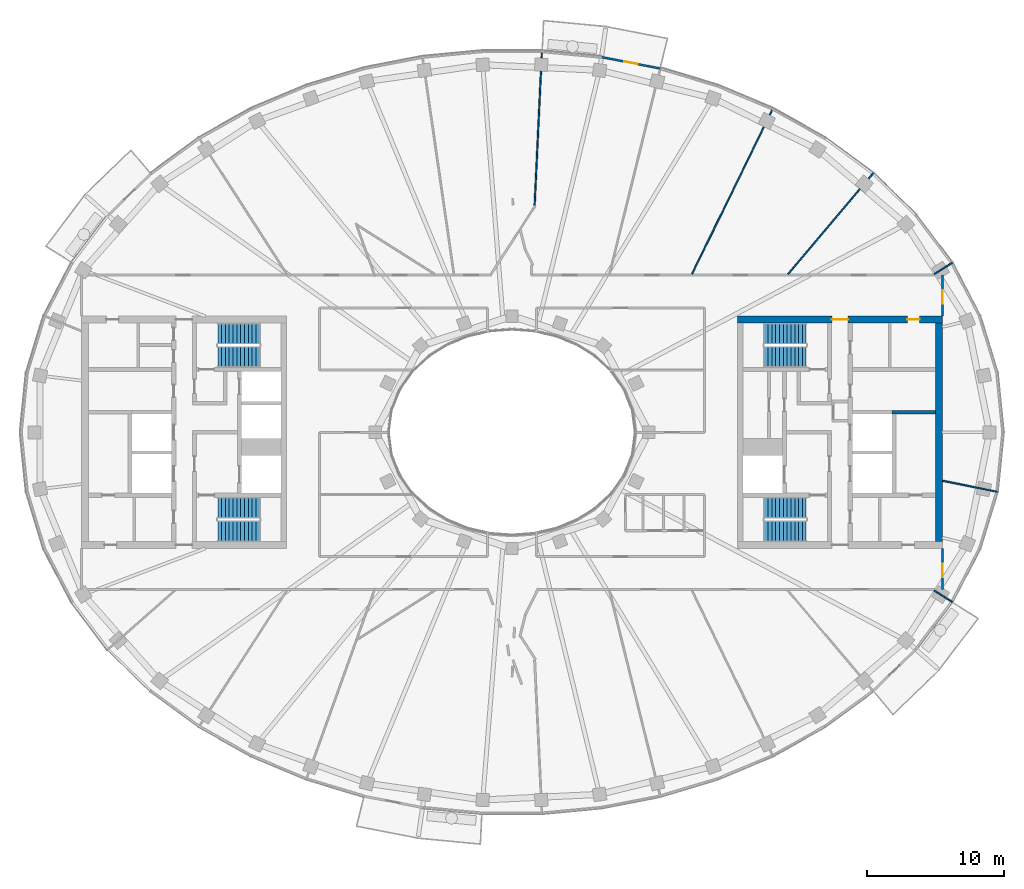
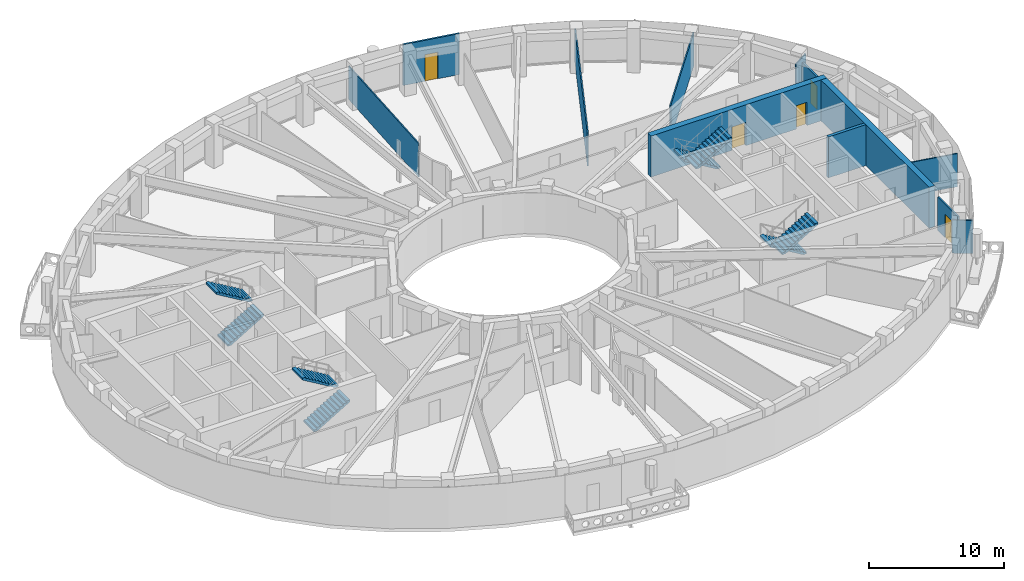
# One storey, part 7 of 16: 12 walls, 8 stair flights, 5 doors, 5 openings, 4 elements without a shape of their own.
"""IFC4 building model written with IfcOpenShell, lengths in metres."""

from ifc_helpers import new_model, si_unit, direction, frame, frame_2d, origin, place, context, subcontext, project, spatial, polyline, rectangle, outline, extrude, material, layer, layer_set, type_object, element, fill, aggregate, save


model = new_model("IFC4")

# Units and contexts
model_context = context("Model", 3, precision=1e-05, world=origin(), true_north=direction((0.0, 1.0)))
body_context = subcontext(model_context, "Body", "Model", "MODEL_VIEW")
ifc_project = project(units=[si_unit("LENGTHUNIT", "METRE"), si_unit("AREAUNIT", "SQUARE_METRE"), si_unit("VOLUMEUNIT", "CUBIC_METRE"), si_unit("PLANEANGLEUNIT", "RADIAN"), si_unit("MASSUNIT", "GRAM", prefix="KILO")], contexts=[model_context])

# Site, building, storey
site_placement = place(None, origin())
site = spatial("IfcSite", under=ifc_project, at=site_placement, CompositionType="ELEMENT")
building_placement = place(site_placement, origin())
building = spatial("IfcBuilding", under=site, at=building_placement, Name="Noorbagh Ring Tower", CompositionType="ELEMENT")
storey_placement = place(building_placement, frame((0.0, 0.0, 315.0)))
storey = spatial("IfcBuildingStorey", under=building, at=storey_placement, Name="L68", CompositionType="ELEMENT", Elevation=315.0)

# Wall
ifc_material_1 = material(Name="Concrete C50/60", Category="concrete")
ifc_layer_1 = layer(ifc_material_1, 0.25)
ifc_layer_set_1 = layer_set([ifc_layer_1], Name="Concrete C50/60")
wall_type_1 = type_object("IfcWallType", Name="CORE-WALL-250-C50-60-EI120", PredefinedType="SHEAR", material=ifc_layer_set_1)
wall_1_placement = place(storey_placement, frame((27.800048828125, 1.47509765625, 0.0), z_axis=(0.0, 0.0, 1.0), x_axis=(1.0, 0.0, 0.0)))
element("IfcWall", 1, at=wall_1_placement, inside=storey, type_object=wall_type_1, Name="Core wall E", PredefinedType="SHEAR", context=body_context, shape_type="SweptSolid", body=[
    extrude(rectangle(XDim=3.199951171875, YDim=0.25, at=frame_2d((1.60009765625, 0.0))), origin(), (0.0, 0.0, 1.0), 3.699951171875),
])

# Wall, openings, doors
ifc_material_2 = material(Name="Concrete C50/60", Category="concrete")
ifc_layer_2 = layer(ifc_material_2, 0.5)
ifc_layer_set_2 = layer_set([ifc_layer_2], Name="Concrete C50/60")
wall_type_2 = type_object("IfcWallType", Name="CORE-WALL-500-C50-60-EI240", PredefinedType="SHEAR", material=ifc_layer_set_2)
wall_2_placement = place(storey_placement, frame((16.5, 8.25, 0.0), z_axis=(0.0, 0.0, 1.0), x_axis=(1.0, 0.0, 0.0)))
wall_2 = element("IfcWall", 2, at=wall_2_placement, inside=storey, type_object=wall_type_2, Name="Core wall E", PredefinedType="SHEAR", context=body_context, shape_type="SweptSolid", body=[
    extrude(rectangle(XDim=15.0, YDim=0.5, at=frame_2d((7.5, 0.0))), origin(), (0.0, 0.0, 1.0), 3.699951171875),
])
opening_1_placement = place(wall_2_placement, frame((6.89990234375, 0.0, 0.0)))
opening_1 = element("IfcOpeningElement", 3, at=opening_1_placement, cuts=wall_2, Name="Opening L68-CE08", PredefinedType="OPENING", context=body_context, shape_type="SweptSolid", body=[
    extrude(rectangle(XDim=1.199951171875, YDim=2.10009765625, at=frame_2d((0.60009765625, 1.050048828125))), frame((0.0, 0.260009765625, 0.0), z_axis=(0.0, -1.0, 0.0), x_axis=(1.0, 0.0, 0.0)), (0.0, 0.0, 1.0), 0.52001953125),
])
opening_2_placement = place(wall_2_placement, frame((12.425048828125, 0.0, 0.0)))
opening_2 = element("IfcOpeningElement", 4, at=opening_2_placement, cuts=wall_2, Name="Opening L68-CE14", PredefinedType="OPENING", context=body_context, shape_type="SweptSolid", body=[
    extrude(rectangle(XDim=0.89990234375, YDim=2.10009765625, at=frame_2d((0.449951171875, 1.050048828125))), frame((0.0, 0.260009765625, 0.0), z_axis=(0.0, -1.0, 0.0), x_axis=(1.0, 0.0, 0.0)), (0.0, 0.0, 1.0), 0.52001953125),
])
ifc_material_3 = material(Name="Steel door leaf", Category="steel")
door_type_1 = type_object("IfcDoorType", Name="CORE-DOOR-DROOM", OperationType="SINGLE_SWING_LEFT", PredefinedType="DOOR", material=ifc_material_3)
door_1_placement = place(opening_2_placement, origin())
door_1 = element("IfcDoor", 5, at=door_1_placement, inside=storey, type_object=door_type_1, Name="Core room door L68-CE14", OperationType="SINGLE_SWING_LEFT", OverallHeight=2.10009765625, OverallWidth=0.89990234375, PredefinedType="DOOR", context=body_context, shape_type="SweptSolid", body=[
    extrude(rectangle(XDim=0.89990234375, YDim=2.10009765625, at=frame_2d((0.449951171875, 1.050048828125))), frame((0.0, 0.02490234375, 0.0), z_axis=(0.0, -1.0, 0.0), x_axis=(1.0, 0.0, 0.0)), (0.0, 0.0, 1.0), 0.050048828125),
])
fill(opening_2, door_1)
ifc_material_4 = material(Name="Steel door leaf", Category="steel")
door_type_2 = type_object("IfcDoorType", Name="CORE-DOOR-PORT", OperationType="DOUBLE_DOOR_DOUBLE_SWING", PredefinedType="DOOR", material=ifc_material_4)
door_2_placement = place(opening_1_placement, origin())
door_2 = element("IfcDoor", 6, at=door_2_placement, inside=storey, type_object=door_type_2, Name="Core entrance door L68-CE08", OperationType="DOUBLE_DOOR_DOUBLE_SWING", OverallHeight=2.10009765625, OverallWidth=1.199951171875, PredefinedType="DOOR", context=body_context, shape_type="SweptSolid", body=[
    extrude(rectangle(XDim=1.199951171875, YDim=2.10009765625, at=frame_2d((0.60009765625, 1.050048828125))), frame((0.0, 0.02490234375, 0.0), z_axis=(0.0, -1.0, 0.0), x_axis=(1.0, 0.0, 0.0)), (0.0, 0.0, 1.0), 0.050048828125),
])
fill(opening_1, door_2)

# Wall
wall_3_placement = place(storey_placement, frame((31.25, -8.0, 0.0), z_axis=(0.0, 0.0, 1.0), x_axis=(0.0, 1.0, 0.0)))
element("IfcWall", 7, at=wall_3_placement, inside=storey, type_object=wall_type_2, Name="Core wall E", PredefinedType="SHEAR", context=body_context, shape_type="SweptSolid", body=[
    extrude(rectangle(XDim=16.0, YDim=0.5, at=frame_2d((8.0, 0.0))), origin(), (0.0, 0.0, 1.0), 3.699951171875),
])

# Wall, opening, door
ifc_material_5 = material(Name="Gypsum board on steel studs", Category="steel")
ifc_layer_3 = layer(ifc_material_5, 0.14990234375)
ifc_layer_set_3 = layer_set([ifc_layer_3], Name="Gypsum board on steel studs")
wall_type_3 = type_object("IfcWallType", Name="CORRIDOR PARTITION 150 EI 30", PredefinedType="PARTITIONING", material=ifc_layer_set_3)
wall_4_placement = place(storey_placement, frame((31.5, -11.5, 0.0), z_axis=(0.0, 0.0, 1.0), x_axis=(0.0, 1.0, 0.0)))
wall_4 = element("IfcWall", 8, at=wall_4_placement, inside=storey, type_object=wall_type_3, Name="L68/wall/P71", PredefinedType="PARTITIONING", context=body_context, shape_type="SweptSolid", body=[
    extrude(rectangle(XDim=3.0, YDim=0.14990234375, at=frame_2d((1.5, 0.0))), origin(), (0.0, 0.0, 1.0), 3.0),
])
opening_3_placement = place(wall_4_placement, frame((0.89990234375, 0.0, 0.0)))
opening_3 = element("IfcOpeningElement", 9, at=opening_3_placement, cuts=wall_4, Name="Opening D1", PredefinedType="OPENING", context=body_context, shape_type="SweptSolid", body=[
    extrude(rectangle(XDim=1.0, YDim=2.10009765625, at=frame_2d((0.5, 1.050048828125))), frame((0.0, 0.0849609375, 0.0), z_axis=(0.0, -1.0, 0.0), x_axis=(1.0, 0.0, 0.0)), (0.0, 0.0, 1.0), 0.169921875),
])
ifc_material_6 = material(Name="Timber, painted", Category="wood")
door_type_3 = type_object("IfcDoorType", Name="DOOR 1000 X 2100 FD30", OperationType="SINGLE_SWING_LEFT", PredefinedType="DOOR", material=ifc_material_6)
door_3_placement = place(opening_3_placement, origin())
door_3 = element("IfcDoor", 10, at=door_3_placement, inside=storey, type_object=door_type_3, Name="L68-D23", OperationType="SINGLE_SWING_LEFT", OverallHeight=2.10009765625, OverallWidth=1.0, PredefinedType="DOOR", context=body_context, shape_type="SweptSolid", body=[
    extrude(rectangle(XDim=1.0, YDim=2.10009765625, at=frame_2d((0.5, 1.050048828125))), frame((0.0, 0.02490234375, 0.0), z_axis=(0.0, -1.0, 0.0), x_axis=(1.0, 0.0, 0.0)), (0.0, 0.0, 1.0), 0.050048828125),
])
fill(opening_3, door_3)

wall_5_placement = place(storey_placement, frame((31.5, 8.5, 0.0), z_axis=(0.0, 0.0, 1.0), x_axis=(0.0, 1.0, 0.0)))
wall_5 = element("IfcWall", 11, at=wall_5_placement, inside=storey, type_object=wall_type_3, Name="L68/wall/P73", PredefinedType="PARTITIONING", context=body_context, shape_type="SweptSolid", body=[
    extrude(rectangle(XDim=3.0, YDim=0.14990234375, at=frame_2d((1.5, 0.0))), origin(), (0.0, 0.0, 1.0), 3.0),
])
opening_4_placement = place(wall_5_placement, frame((0.89990234375, 0.0, 0.0)))
opening_4 = element("IfcOpeningElement", 12, at=opening_4_placement, cuts=wall_5, Name="Opening D1", PredefinedType="OPENING", context=body_context, shape_type="SweptSolid", body=[
    extrude(rectangle(XDim=1.0, YDim=2.10009765625, at=frame_2d((0.5, 1.050048828125))), frame((0.0, 0.0849609375, 0.0), z_axis=(0.0, -1.0, 0.0), x_axis=(1.0, 0.0, 0.0)), (0.0, 0.0, 1.0), 0.169921875),
])
door_4_placement = place(opening_4_placement, origin())
door_4 = element("IfcDoor", 13, at=door_4_placement, inside=storey, type_object=door_type_3, Name="L68-D24", OperationType="SINGLE_SWING_RIGHT", OverallHeight=2.10009765625, OverallWidth=1.0, PredefinedType="DOOR", context=body_context, shape_type="SweptSolid", body=[
    extrude(rectangle(XDim=1.0, YDim=2.10009765625, at=frame_2d((0.5, 1.050048828125))), frame((0.0, 0.02490234375, 0.0), z_axis=(0.0, -1.0, 0.0), x_axis=(1.0, 0.0, 0.0)), (0.0, 0.0, 1.0), 0.050048828125),
])
fill(opening_4, door_4)

ifc_material_7 = material(Name="Insulated aluminium clad panel", Category="aluminium")
ifc_layer_4 = layer(ifc_material_7, 0.14990234375)
ifc_layer_set_4 = layer_set([ifc_layer_4], Name="Insulated aluminium clad panel")
wall_type_4 = type_object("IfcWallType", Name="ENV-WALL-DOOR", PredefinedType="STANDARD", material=ifc_layer_set_4)
wall_6_placement = place(storey_placement, frame((10.87060546875, 26.616943359375, 0.0), z_axis=(0.0, 0.0, 1.0), x_axis=(-0.981631174778, 0.190788460615, 0.0)))
wall_6 = element("IfcWall", 14, at=wall_6_placement, inside=storey, type_object=wall_type_4, Name="Balcony door wall chord 10", PredefinedType="STANDARD", context=body_context, shape_type="SweptSolid", body=[
    extrude(rectangle(XDim=4.42626953125, YDim=0.14990234375, at=frame_2d((2.213134765625, 0.0))), origin(), (0.0, 0.0, 1.0), 3.699951171875),
])
opening_5_placement = place(wall_6_placement, frame((1.713134765625, 0.0, 0.0)))
opening_5 = element("IfcOpeningElement", 15, at=opening_5_placement, cuts=wall_6, Name="Opening D-BL", PredefinedType="OPENING", context=body_context, shape_type="SweptSolid", body=[
    extrude(rectangle(XDim=1.0, YDim=2.39990234375, at=frame_2d((0.5, 1.199951171875))), frame((0.0, 0.0849609375, 0.0), z_axis=(0.0, -1.0, 0.0), x_axis=(1.0, 0.0, 0.0)), (0.0, 0.0, 1.0), 0.169921875),
])
ifc_material_8 = material(Name="Aluminium and glass", Category="aluminium")
door_type_4 = type_object("IfcDoorType", Name="ENV-DOOR-BALCONY", OperationType="SINGLE_SWING_LEFT", PredefinedType="DOOR", material=ifc_material_8)
door_5_placement = place(opening_5_placement, origin())
door_5 = element("IfcDoor", 16, at=door_5_placement, inside=storey, type_object=door_type_4, Name="Balcony door chord 10", OperationType="SINGLE_SWING_LEFT", OverallHeight=2.39990234375, OverallWidth=1.0, PredefinedType="DOOR", context=body_context, shape_type="SweptSolid", body=[
    extrude(rectangle(XDim=1.0, YDim=2.39990234375, at=frame_2d((0.5, 1.199951171875))), frame((0.0, 0.02490234375, 0.0), z_axis=(0.0, -1.0, 0.0), x_axis=(1.0, 0.0, 0.0)), (0.0, 0.0, 1.0), 0.050048828125),
])
fill(opening_5, door_5)

# Walls
ifc_material_9 = material(Name="Gypsum board on steel studs", Category="steel")
ifc_layer_5 = layer(ifc_material_9, 0.10009765625)
ifc_layer_set_5 = layer_set([ifc_layer_5], Name="Gypsum board on steel studs")
wall_type_5 = type_object("IfcWallType", Name="PARTITION 100 GYPSUM", PredefinedType="PARTITIONING", material=ifc_layer_set_5)
wall_7_placement = place(storey_placement, frame((1.654052734375, 16.60009765625, 0.0), z_axis=(0.0, 0.0, 1.0), x_axis=(0.047379525596, 0.998876959667, 0.0)))
element("IfcWall", 17, at=wall_7_placement, inside=storey, type_object=wall_type_5, Name="L68/wall/P43", PredefinedType="PARTITIONING", context=body_context, shape_type="SweptSolid", body=[
    extrude(rectangle(XDim=11.310546875, YDim=0.10009765625, at=frame_2d((5.6552734375, 0.0))), origin(), (0.0, 0.0, 1.0), 3.0),
])
wall_8_placement = place(storey_placement, frame((13.1669921875, 11.5791015625, 0.0), z_axis=(0.0, 0.0, 1.0), x_axis=(0.439238726833, 0.898370380661, 0.0)))
element("IfcWall", 18, at=wall_8_placement, inside=storey, type_object=wall_type_5, Name="L68/wall/P64", PredefinedType="PARTITIONING", context=body_context, shape_type="SweptSolid", body=[
    extrude(rectangle(XDim=13.475341796875, YDim=0.10009765625, at=frame_2d((6.73779296875, 0.0))), origin(), (0.0, 0.0, 1.0), 3.0),
])
wall_9_placement = place(storey_placement, frame((20.18896484375, 11.577880859375, 0.0), z_axis=(0.0, 0.0, 1.0), x_axis=(0.646376264927, 0.763018822926, 0.0)))
element("IfcWall", 19, at=wall_9_placement, inside=storey, type_object=wall_type_5, Name="L68/wall/P68", PredefinedType="PARTITIONING", context=body_context, shape_type="SweptSolid", body=[
    extrude(rectangle(XDim=9.6552734375, YDim=0.10009765625, at=frame_2d((4.82763671875, 0.0))), origin(), (0.0, 0.0, 1.0), 3.0),
])
for number, where, z_axis, x_axis, name in (
    (20, (30.89697265625, -11.574951171875, 0.0), (0.0, 0.0, 1.0), (0.844757626245, -0.535149094086, 0.0), "L68/wall/P69"),
    (21, (30.89697265625, 11.574951171875, 0.0), (0.0, 0.0, 1.0), (0.844757626245, 0.535149094086, 0.0), "L68/wall/P70"),
):
    element("IfcWall", number, at=place(storey_placement, frame(where, z_axis=z_axis, x_axis=x_axis)), inside=storey, type_object=wall_type_5, Name=name, PredefinedType="PARTITIONING", context=body_context, shape_type="SweptSolid", body=[
        extrude(rectangle(XDim=1.556640625, YDim=0.10009765625, at=frame_2d((0.7783203125, 0.0))), origin(), (0.0, 0.0, 1.0), 3.0),
    ])
wall_10_placement = place(storey_placement, frame((31.5, -3.5419921875, 0.0), z_axis=(0.0, 0.0, 1.0), x_axis=(0.980357474535, -0.197228857227, 0.0)))
element("IfcWall", 22, at=wall_10_placement, inside=storey, type_object=wall_type_5, Name="L68/wall/P72", PredefinedType="PARTITIONING", context=body_context, shape_type="SweptSolid", body=[
    extrude(rectangle(XDim=4.09228515625, YDim=0.10009765625, at=frame_2d((2.046142578125, 0.0))), origin(), (0.0, 0.0, 1.0), 3.0),
])

# Stair, stair flights
ifc_material_10 = material(Name="Concrete C40/50", Category="concrete")
stair_type = type_object("IfcStairType", Name="CORE-STAIR", PredefinedType="HALF_TURN_STAIR", material=ifc_material_10)
stair_1_placement = place(storey_placement, origin())
stair_1 = element("IfcStair", 23, at=stair_1_placement, inside=storey, type_object=stair_type, Name="L68 Exit stair ST1", PredefinedType="HALF_TURN_STAIR")
ifc_material_11 = material(Name="Concrete C40/50", Category="concrete")
stair_flight_type = type_object("IfcStairFlightType", Name="CORE-STAIR-FLIGHT", PredefinedType="STRAIGHT", material=ifc_material_11)
stair_flight_1_placement = place(storey_placement, frame((-21.530029296875, 5.52490234375, 0.0), z_axis=(0.0, 0.0, 1.0), x_axis=(1.0, 0.0, 0.0)))
stair_flight_1 = element("IfcStairFlight", 24, at=stair_flight_1_placement, type_object=stair_flight_type, Name="ST1 flight 1", NumberOfRisers=12, NumberOfTreads=11, PredefinedType="STRAIGHT", RiserHeight=0.166666667, TreadLength=0.28, context=body_context, shape_type="SweptSolid", body=[
    extrude(outline(polyline([(0.0, 0.0), (0.0, 0.166748046875), (0.280029296875, 0.166748046875), (0.280029296875, 0.333251953125), (0.56005859375, 0.333251953125), (0.56005859375, 0.5), (0.840087890625, 0.5), (0.840087890625, 0.666748046875), (1.1201171875, 0.666748046875), (1.1201171875, 0.833251953125), (1.39990234375, 0.833251953125), (1.39990234375, 1.0), (1.679931640625, 1.0), (1.679931640625, 1.166748046875), (1.9599609375, 1.166748046875), (1.9599609375, 1.333251953125), (2.239990234375, 1.333251953125), (2.239990234375, 1.5), (2.52001953125, 1.5), (2.52001953125, 1.666748046875), (2.800048828125, 1.666748046875), (2.800048828125, 1.833251953125), (3.080078125, 1.833251953125), (3.080078125, 2.0), (3.080078125, 1.658935546875), (0.29296875, 0.0), (0.0, 0.0)])), frame((0.0, 0.77490234375, 0.0), z_axis=(0.0, -1.0, 0.0), x_axis=(1.0, 0.0, 0.0)), (0.0, 0.0, 1.0), 1.550048828125),
])
stair_flight_2_placement = place(storey_placement, frame((-18.449951171875, 7.22509765625, 2.0), z_axis=(0.0, 0.0, 1.0), x_axis=(-1.0, 0.0, 0.0)))
stair_flight_2 = element("IfcStairFlight", 25, at=stair_flight_2_placement, type_object=stair_flight_type, Name="ST1 flight 2", NumberOfRisers=12, NumberOfTreads=11, PredefinedType="STRAIGHT", RiserHeight=0.166666667, TreadLength=0.28, context=body_context, shape_type="SweptSolid", body=[
    extrude(outline(polyline([(0.0, 0.0), (0.0, 0.166748046875), (0.280029296875, 0.166748046875), (0.280029296875, 0.333251953125), (0.56005859375, 0.333251953125), (0.56005859375, 0.5), (0.840087890625, 0.5), (0.840087890625, 0.666748046875), (1.1201171875, 0.666748046875), (1.1201171875, 0.833251953125), (1.39990234375, 0.833251953125), (1.39990234375, 1.0), (1.679931640625, 1.0), (1.679931640625, 1.166748046875), (1.9599609375, 1.166748046875), (1.9599609375, 1.333251953125), (2.239990234375, 1.333251953125), (2.239990234375, 1.5), (2.52001953125, 1.5), (2.52001953125, 1.666748046875), (2.800048828125, 1.666748046875), (2.800048828125, 1.833251953125), (3.080078125, 1.833251953125), (3.080078125, 2.0), (3.080078125, 1.658935546875), (0.29296875, 0.0), (0.0, 0.0)])), frame((0.0, 0.77490234375, 0.0), z_axis=(0.0, -1.0, 0.0), x_axis=(1.0, 0.0, 0.0)), (0.0, 0.0, 1.0), 1.550048828125),
])
aggregate(stair_1, [stair_flight_1, stair_flight_2])

stair_2_placement = place(storey_placement, origin())
stair_2 = element("IfcStair", 26, at=stair_2_placement, inside=storey, type_object=stair_type, Name="L68 Exit stair ST2", PredefinedType="HALF_TURN_STAIR")
stair_flight_3_placement = place(storey_placement, frame((-21.530029296875, -7.22509765625, 0.0), z_axis=(0.0, 0.0, 1.0), x_axis=(1.0, 0.0, 0.0)))
stair_flight_3 = element("IfcStairFlight", 27, at=stair_flight_3_placement, type_object=stair_flight_type, Name="ST2 flight 1", NumberOfRisers=12, NumberOfTreads=11, PredefinedType="STRAIGHT", RiserHeight=0.166666667, TreadLength=0.28, context=body_context, shape_type="SweptSolid", body=[
    extrude(outline(polyline([(0.0, 0.0), (0.0, 0.166748046875), (0.280029296875, 0.166748046875), (0.280029296875, 0.333251953125), (0.56005859375, 0.333251953125), (0.56005859375, 0.5), (0.840087890625, 0.5), (0.840087890625, 0.666748046875), (1.1201171875, 0.666748046875), (1.1201171875, 0.833251953125), (1.39990234375, 0.833251953125), (1.39990234375, 1.0), (1.679931640625, 1.0), (1.679931640625, 1.166748046875), (1.9599609375, 1.166748046875), (1.9599609375, 1.333251953125), (2.239990234375, 1.333251953125), (2.239990234375, 1.5), (2.52001953125, 1.5), (2.52001953125, 1.666748046875), (2.800048828125, 1.666748046875), (2.800048828125, 1.833251953125), (3.080078125, 1.833251953125), (3.080078125, 2.0), (3.080078125, 1.658935546875), (0.29296875, 0.0), (0.0, 0.0)])), frame((0.0, 0.77490234375, 0.0), z_axis=(0.0, -1.0, 0.0), x_axis=(1.0, 0.0, 0.0)), (0.0, 0.0, 1.0), 1.550048828125),
])
stair_flight_4_placement = place(storey_placement, frame((-18.449951171875, -5.52490234375, 2.0), z_axis=(0.0, 0.0, 1.0), x_axis=(-1.0, 0.0, 0.0)))
stair_flight_4 = element("IfcStairFlight", 28, at=stair_flight_4_placement, type_object=stair_flight_type, Name="ST2 flight 2", NumberOfRisers=12, NumberOfTreads=11, PredefinedType="STRAIGHT", RiserHeight=0.166666667, TreadLength=0.28, context=body_context, shape_type="SweptSolid", body=[
    extrude(outline(polyline([(0.0, 0.0), (0.0, 0.166748046875), (0.280029296875, 0.166748046875), (0.280029296875, 0.333251953125), (0.56005859375, 0.333251953125), (0.56005859375, 0.5), (0.840087890625, 0.5), (0.840087890625, 0.666748046875), (1.1201171875, 0.666748046875), (1.1201171875, 0.833251953125), (1.39990234375, 0.833251953125), (1.39990234375, 1.0), (1.679931640625, 1.0), (1.679931640625, 1.166748046875), (1.9599609375, 1.166748046875), (1.9599609375, 1.333251953125), (2.239990234375, 1.333251953125), (2.239990234375, 1.5), (2.52001953125, 1.5), (2.52001953125, 1.666748046875), (2.800048828125, 1.666748046875), (2.800048828125, 1.833251953125), (3.080078125, 1.833251953125), (3.080078125, 2.0), (3.080078125, 1.658935546875), (0.29296875, 0.0), (0.0, 0.0)])), frame((0.0, 0.77490234375, 0.0), z_axis=(0.0, -1.0, 0.0), x_axis=(1.0, 0.0, 0.0)), (0.0, 0.0, 1.0), 1.550048828125),
])
aggregate(stair_2, [stair_flight_3, stair_flight_4])

stair_3_placement = place(storey_placement, origin())
stair_3 = element("IfcStair", 29, at=stair_3_placement, inside=storey, type_object=stair_type, Name="L68 Exit stair ST3", PredefinedType="HALF_TURN_STAIR")
stair_flight_5_placement = place(storey_placement, frame((21.530029296875, 7.22509765625, 0.0), z_axis=(0.0, 0.0, 1.0), x_axis=(-1.0, 0.0, 0.0)))
stair_flight_5 = element("IfcStairFlight", 30, at=stair_flight_5_placement, type_object=stair_flight_type, Name="ST3 flight 1", NumberOfRisers=12, NumberOfTreads=11, PredefinedType="STRAIGHT", RiserHeight=0.166666667, TreadLength=0.28, context=body_context, shape_type="SweptSolid", body=[
    extrude(outline(polyline([(0.0, 0.0), (0.0, 0.166748046875), (0.280029296875, 0.166748046875), (0.280029296875, 0.333251953125), (0.56005859375, 0.333251953125), (0.56005859375, 0.5), (0.840087890625, 0.5), (0.840087890625, 0.666748046875), (1.1201171875, 0.666748046875), (1.1201171875, 0.833251953125), (1.39990234375, 0.833251953125), (1.39990234375, 1.0), (1.679931640625, 1.0), (1.679931640625, 1.166748046875), (1.9599609375, 1.166748046875), (1.9599609375, 1.333251953125), (2.239990234375, 1.333251953125), (2.239990234375, 1.5), (2.52001953125, 1.5), (2.52001953125, 1.666748046875), (2.800048828125, 1.666748046875), (2.800048828125, 1.833251953125), (3.080078125, 1.833251953125), (3.080078125, 2.0), (3.080078125, 1.658935546875), (0.29296875, 0.0), (0.0, 0.0)])), frame((0.0, 0.77490234375, 0.0), z_axis=(0.0, -1.0, 0.0), x_axis=(1.0, 0.0, 0.0)), (0.0, 0.0, 1.0), 1.550048828125),
])
stair_flight_6_placement = place(storey_placement, frame((18.449951171875, 5.52490234375, 2.0), z_axis=(0.0, 0.0, 1.0), x_axis=(1.0, 0.0, 0.0)))
stair_flight_6 = element("IfcStairFlight", 31, at=stair_flight_6_placement, type_object=stair_flight_type, Name="ST3 flight 2", NumberOfRisers=12, NumberOfTreads=11, PredefinedType="STRAIGHT", RiserHeight=0.166666667, TreadLength=0.28, context=body_context, shape_type="SweptSolid", body=[
    extrude(outline(polyline([(0.0, 0.0), (0.0, 0.166748046875), (0.280029296875, 0.166748046875), (0.280029296875, 0.333251953125), (0.56005859375, 0.333251953125), (0.56005859375, 0.5), (0.840087890625, 0.5), (0.840087890625, 0.666748046875), (1.1201171875, 0.666748046875), (1.1201171875, 0.833251953125), (1.39990234375, 0.833251953125), (1.39990234375, 1.0), (1.679931640625, 1.0), (1.679931640625, 1.166748046875), (1.9599609375, 1.166748046875), (1.9599609375, 1.333251953125), (2.239990234375, 1.333251953125), (2.239990234375, 1.5), (2.52001953125, 1.5), (2.52001953125, 1.666748046875), (2.800048828125, 1.666748046875), (2.800048828125, 1.833251953125), (3.080078125, 1.833251953125), (3.080078125, 2.0), (3.080078125, 1.658935546875), (0.29296875, 0.0), (0.0, 0.0)])), frame((0.0, 0.77490234375, 0.0), z_axis=(0.0, -1.0, 0.0), x_axis=(1.0, 0.0, 0.0)), (0.0, 0.0, 1.0), 1.550048828125),
])
aggregate(stair_3, [stair_flight_5, stair_flight_6])

stair_4_placement = place(storey_placement, origin())
stair_4 = element("IfcStair", 32, at=stair_4_placement, inside=storey, type_object=stair_type, Name="L68 Exit stair ST4", PredefinedType="HALF_TURN_STAIR")
stair_flight_7_placement = place(storey_placement, frame((21.530029296875, -5.52490234375, 0.0), z_axis=(0.0, 0.0, 1.0), x_axis=(-1.0, 0.0, 0.0)))
stair_flight_7 = element("IfcStairFlight", 33, at=stair_flight_7_placement, type_object=stair_flight_type, Name="ST4 flight 1", NumberOfRisers=12, NumberOfTreads=11, PredefinedType="STRAIGHT", RiserHeight=0.166666667, TreadLength=0.28, context=body_context, shape_type="SweptSolid", body=[
    extrude(outline(polyline([(0.0, 0.0), (0.0, 0.166748046875), (0.280029296875, 0.166748046875), (0.280029296875, 0.333251953125), (0.56005859375, 0.333251953125), (0.56005859375, 0.5), (0.840087890625, 0.5), (0.840087890625, 0.666748046875), (1.1201171875, 0.666748046875), (1.1201171875, 0.833251953125), (1.39990234375, 0.833251953125), (1.39990234375, 1.0), (1.679931640625, 1.0), (1.679931640625, 1.166748046875), (1.9599609375, 1.166748046875), (1.9599609375, 1.333251953125), (2.239990234375, 1.333251953125), (2.239990234375, 1.5), (2.52001953125, 1.5), (2.52001953125, 1.666748046875), (2.800048828125, 1.666748046875), (2.800048828125, 1.833251953125), (3.080078125, 1.833251953125), (3.080078125, 2.0), (3.080078125, 1.658935546875), (0.29296875, 0.0), (0.0, 0.0)])), frame((0.0, 0.77490234375, 0.0), z_axis=(0.0, -1.0, 0.0), x_axis=(1.0, 0.0, 0.0)), (0.0, 0.0, 1.0), 1.550048828125),
])
stair_flight_8_placement = place(storey_placement, frame((18.449951171875, -7.22509765625, 2.0), z_axis=(0.0, 0.0, 1.0), x_axis=(1.0, 0.0, 0.0)))
stair_flight_8 = element("IfcStairFlight", 34, at=stair_flight_8_placement, type_object=stair_flight_type, Name="ST4 flight 2", NumberOfRisers=12, NumberOfTreads=11, PredefinedType="STRAIGHT", RiserHeight=0.166666667, TreadLength=0.28, context=body_context, shape_type="SweptSolid", body=[
    extrude(outline(polyline([(0.0, 0.0), (0.0, 0.166748046875), (0.280029296875, 0.166748046875), (0.280029296875, 0.333251953125), (0.56005859375, 0.333251953125), (0.56005859375, 0.5), (0.840087890625, 0.5), (0.840087890625, 0.666748046875), (1.1201171875, 0.666748046875), (1.1201171875, 0.833251953125), (1.39990234375, 0.833251953125), (1.39990234375, 1.0), (1.679931640625, 1.0), (1.679931640625, 1.166748046875), (1.9599609375, 1.166748046875), (1.9599609375, 1.333251953125), (2.239990234375, 1.333251953125), (2.239990234375, 1.5), (2.52001953125, 1.5), (2.52001953125, 1.666748046875), (2.800048828125, 1.666748046875), (2.800048828125, 1.833251953125), (3.080078125, 1.833251953125), (3.080078125, 2.0), (3.080078125, 1.658935546875), (0.29296875, 0.0), (0.0, 0.0)])), frame((0.0, 0.77490234375, 0.0), z_axis=(0.0, -1.0, 0.0), x_axis=(1.0, 0.0, 0.0)), (0.0, 0.0, 1.0), 1.550048828125),
])
aggregate(stair_4, [stair_flight_7, stair_flight_8])

save(model, "model.ifc")
